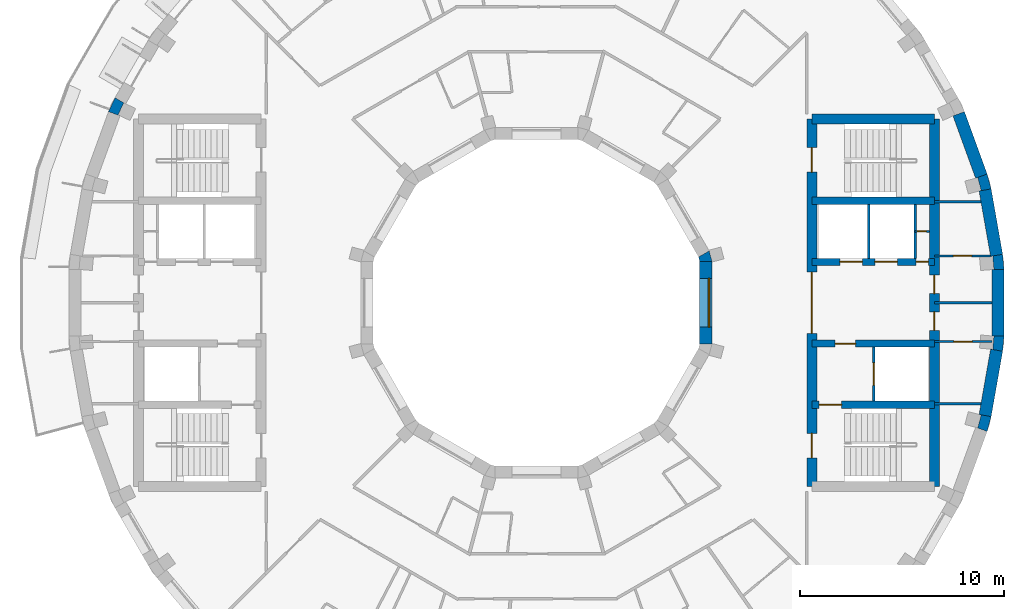
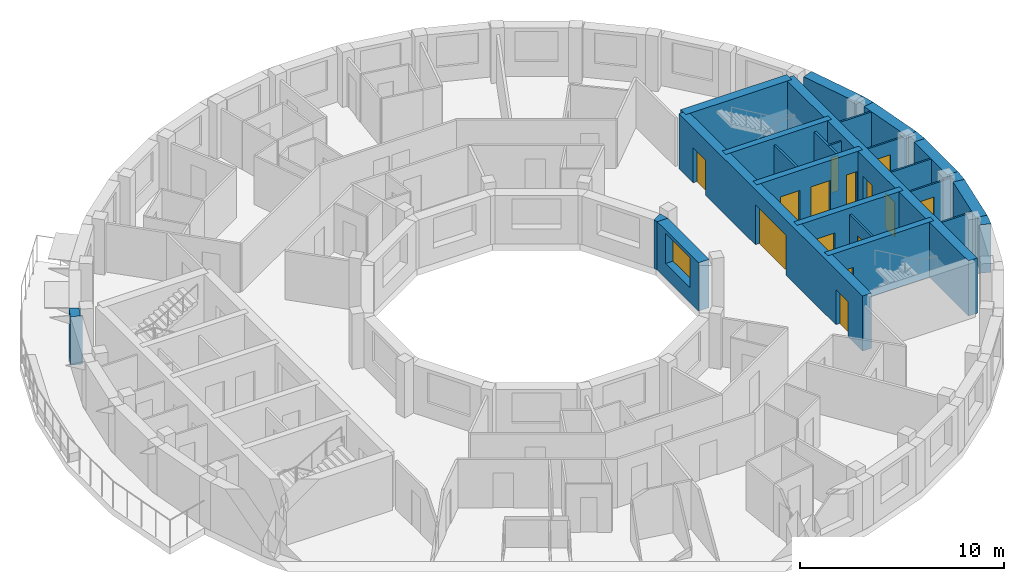
# One storey, part 6 of 10: 27 walls, 14 doors, 1 window, 15 openings.
"""IFC4 building model written with IfcOpenShell, lengths in metres."""

from ifc_helpers import new_model, si_unit, direction, frame, frame_2d, origin, place, context, subcontext, project, spatial, polyline, rectangle, outline, extrude, material, layer, layer_set, type_object, element, fill, save


model = new_model("IFC4")

# Units and contexts
model_context = context("Model", 3, precision=1e-05, world=origin(), true_north=direction((0.0, 1.0)))
body_context = subcontext(model_context, "Body", "Model", "MODEL_VIEW")
ifc_project = project(units=[si_unit("LENGTHUNIT", "METRE"), si_unit("AREAUNIT", "SQUARE_METRE"), si_unit("VOLUMEUNIT", "CUBIC_METRE"), si_unit("PLANEANGLEUNIT", "RADIAN"), si_unit("MASSUNIT", "GRAM", prefix="KILO")], contexts=[model_context])

# Site, building, storey
site_placement = place(None, origin())
site = spatial("IfcSite", under=ifc_project, at=site_placement, CompositionType="ELEMENT")
building_placement = place(site_placement, origin())
building = spatial("IfcBuilding", under=site, at=building_placement, Name="Saqina Gate Tower", CompositionType="ELEMENT")
storey_placement = place(building_placement, frame((0.0, 0.0, 239.60009765625)))
storey = spatial("IfcBuildingStorey", under=building, at=storey_placement, Name="L68", CompositionType="ELEMENT", Elevation=239.60009765625)

# Walls
ifc_material_1 = material(Name="Brick masonry (buff)", Category="masonry")
wall_type_1 = type_object("IfcWallType", Name="BRICK PIER COPING BUFF", PredefinedType="SOLIDWALL", material=ifc_material_1)
wall_1_placement = place(storey_placement, origin())
element("IfcWall", 1, at=wall_1_placement, inside=storey, type_object=wall_type_1, Name="Pier cap L68 column 1", PredefinedType="SOLIDWALL", context=body_context, shape_type="SweptSolid", body=[
    extrude(outline(polyline([(22.91259765625, 1.625732421875), (22.8466796875, 2.377685546875), (22.255859375, 2.2734375), (22.361083984375, 2.28271484375), (22.417724609375, 1.635009765625), (22.3125, 1.625732421875), (22.91259765625, 1.625732421875)])), origin(), (0.0, 0.0, 1.0), 2.89990234375),
])
wall_2_placement = place(storey_placement, origin())
element("IfcWall", 2, at=wall_2_placement, inside=storey, type_object=wall_type_1, Name="Pier cap L68 column 2", PredefinedType="SOLIDWALL", context=body_context, shape_type="SweptSolid", body=[
    extrude(outline(polyline([(22.0869140625, 6.30859375), (21.52294921875, 6.103515625), (21.625, 6.130859375), (21.793212890625, 5.5029296875), (21.691162109375, 5.4755859375), (22.281982421875, 5.579833984375), (22.0869140625, 6.30859375)])), origin(), (0.0, 0.0, 1.0), 2.89990234375),
])
wall_3_placement = place(storey_placement, origin())
element("IfcWall", 3, at=wall_3_placement, inside=storey, type_object=wall_type_1, Name="Pier cap L68 column 16", PredefinedType="SOLIDWALL", context=body_context, shape_type="SweptSolid", body=[
    extrude(outline(polyline([(-20.65576171875, 10.048095703125), (-20.974609375, 9.3642578125), (-20.410888671875, 9.1591796875), (-20.506591796875, 9.203857421875), (-20.23193359375, 9.79296875), (-20.135986328125, 9.748291015625), (-20.65576171875, 10.048095703125)])), origin(), (0.0, 0.0, 1.0), 2.89990234375),
])
wall_4_placement = place(storey_placement, origin())
element("IfcWall", 4, at=wall_4_placement, inside=storey, type_object=wall_type_1, Name="Pier cap L68 column 35", PredefinedType="SOLIDWALL", context=body_context, shape_type="SweptSolid", body=[
    extrude(outline(polyline([(22.281982421875, -5.579833984375), (21.691162109375, -5.4755859375), (21.793212890625, -5.5029296875), (21.625, -6.130859375), (21.52294921875, -6.103515625), (22.0869140625, -6.30859375), (22.281982421875, -5.579833984375)])), origin(), (0.0, 0.0, 1.0), 2.89990234375),
])
wall_5_placement = place(storey_placement, origin())
element("IfcWall", 5, at=wall_5_placement, inside=storey, type_object=wall_type_1, Name="Pier cap L68 column 36", PredefinedType="SOLIDWALL", context=body_context, shape_type="SweptSolid", body=[
    extrude(outline(polyline([(22.8466796875, -2.377685546875), (22.91259765625, -1.625732421875), (22.3125, -1.625732421875), (22.417724609375, -1.635009765625), (22.361083984375, -2.28271484375), (22.255859375, -2.2734375), (22.8466796875, -2.377685546875)])), origin(), (0.0, 0.0, 1.0), 2.89990234375),
])

# Wall, opening, door
ifc_material_2 = material(Name="Gypsum board on steel studs", Category="steel")
ifc_layer_1 = layer(ifc_material_2, 0.10009765625)
ifc_layer_set_1 = layer_set([ifc_layer_1], Name="CORE PARTITION")
wall_type_2 = type_object("IfcWallType", Name="CORE PARTITION", PredefinedType="PARTITIONING", material=ifc_layer_set_1)
wall_6_placement = place(storey_placement, frame((18.56005859375, 3.5, 0.0), z_axis=(0.0, 0.0, 1.0), x_axis=(1.0, 0.0, 0.0)))
wall_6 = element("IfcWall", 6, at=wall_6_placement, inside=storey, type_object=wall_type_2, Name="L68-CP-E01", PredefinedType="PARTITIONING", context=body_context, shape_type="SweptSolid", body=[
    extrude(rectangle(XDim=0.68994140625, YDim=0.10009765625, at=frame_2d((0.344970703125, 0.0))), origin(), (0.0, 0.0, 1.0), 2.89990234375),
])
opening_1_placement = place(wall_6_placement, frame((0.10009765625, 0.0, 0.0)))
opening_1 = element("IfcOpeningElement", 7, at=opening_1_placement, cuts=wall_6, Name="Opening G20-D96", PredefinedType="OPENING", context=body_context, shape_type="SweptSolid", body=[
    extrude(rectangle(XDim=0.449951171875, YDim=2.10009765625, at=frame_2d((0.22509765625, 1.050048828125))), frame((0.0, 0.06201171875, 0.0), z_axis=(0.0, -1.0, 0.0), x_axis=(1.0, 0.0, 0.0)), (0.0, 0.0, 1.0), 0.1240234375),
])
ifc_material_3 = material(Name="Steel-framed fire door leaf, EI 60", Category="steel")
door_type_1 = type_object("IfcDoorType", Name="SERVICE ROOM DOOR 450", OperationType="SINGLE_SWING_LEFT", PredefinedType="DOOR", material=ifc_material_3)
door_1_placement = place(opening_1_placement, origin())
door_1 = element("IfcDoor", 8, at=door_1_placement, inside=storey, type_object=door_type_1, Name="L68-CD-E07", OperationType="SINGLE_SWING_RIGHT", OverallHeight=2.10009765625, OverallWidth=0.449951171875, PredefinedType="DOOR", context=body_context, shape_type="SweptSolid", body=[
    extrude(rectangle(XDim=0.449951171875, YDim=2.10009765625, at=frame_2d((0.22509765625, 1.050048828125))), frame((0.0, 0.02490234375, 0.0), z_axis=(0.0, -1.0, 0.0), x_axis=(1.0, 0.0, 0.0)), (0.0, 0.0, 1.0), 0.050048828125),
])
fill(opening_1, door_1)

# Wall
wall_7_placement = place(storey_placement, frame((19.5, 4.949951171875, 0.0), z_axis=(0.0, 0.0, 1.0), x_axis=(1.0, 0.0, 0.0)))
element("IfcWall", 9, at=wall_7_placement, inside=storey, type_object=wall_type_2, Name="L68-CP-E02", PredefinedType="PARTITIONING", context=body_context, shape_type="SweptSolid", body=[
    extrude(rectangle(XDim=2.283935546875, YDim=0.10009765625, at=frame_2d((1.14208984375, 0.0))), origin(), (0.0, 0.0, 1.0), 2.89990234375),
])

# Wall, opening, door
wall_8_placement = place(storey_placement, frame((19.5, 2.300048828125, 0.0), z_axis=(0.0, 0.0, 1.0), x_axis=(1.0, 0.0, 0.0)))
wall_8 = element("IfcWall", 10, at=wall_8_placement, inside=storey, type_object=wall_type_2, Name="L68-CP-E03", PredefinedType="PARTITIONING", context=body_context, shape_type="SweptSolid", body=[
    extrude(rectangle(XDim=2.751220703125, YDim=0.10009765625, at=frame_2d((1.37548828125, 0.0))), origin(), (0.0, 0.0, 1.0), 2.89990234375),
])
opening_2_placement = place(wall_8_placement, frame((0.925537109375, 0.0, 0.0)))
opening_2 = element("IfcOpeningElement", 11, at=opening_2_placement, cuts=wall_8, Name="Opening G20-D92", PredefinedType="OPENING", context=body_context, shape_type="SweptSolid", body=[
    extrude(rectangle(XDim=0.89990234375, YDim=2.10009765625, at=frame_2d((0.449951171875, 1.050048828125))), frame((0.0, 0.06201171875, 0.0), z_axis=(0.0, -1.0, 0.0), x_axis=(1.0, 0.0, 0.0)), (0.0, 0.0, 1.0), 0.1240234375),
])
ifc_material_4 = material(Name="Steel-framed fire door leaf, EI 60", Category="steel")
door_type_2 = type_object("IfcDoorType", Name="SERVICE ROOM DOOR 900", OperationType="SINGLE_SWING_LEFT", PredefinedType="DOOR", material=ifc_material_4)
door_2_placement = place(opening_2_placement, origin())
door_2 = element("IfcDoor", 12, at=door_2_placement, inside=storey, type_object=door_type_2, Name="L68-CD-E03", OperationType="SINGLE_SWING_LEFT", OverallHeight=2.10009765625, OverallWidth=0.89990234375, PredefinedType="DOOR", context=body_context, shape_type="SweptSolid", body=[
    extrude(rectangle(XDim=0.89990234375, YDim=2.10009765625, at=frame_2d((0.449951171875, 1.050048828125))), frame((0.0, 0.02490234375, 0.0), z_axis=(0.0, -1.0, 0.0), x_axis=(1.0, 0.0, 0.0)), (0.0, 0.0, 1.0), 0.050048828125),
])
fill(opening_2, door_2)

# Wall
wall_9_placement = place(storey_placement, frame((19.5, -4.949951171875, 0.0), z_axis=(0.0, 0.0, 1.0), x_axis=(1.0, 0.0, 0.0)))
element("IfcWall", 13, at=wall_9_placement, inside=storey, type_object=wall_type_2, Name="L68-CP-E04", PredefinedType="PARTITIONING", context=body_context, shape_type="SweptSolid", body=[
    extrude(rectangle(XDim=2.283935546875, YDim=0.10009765625, at=frame_2d((1.14208984375, 0.0))), origin(), (0.0, 0.0, 1.0), 2.89990234375),
])

# Wall, opening, door
wall_10_placement = place(storey_placement, frame((19.5, -1.89990234375, 0.0), z_axis=(0.0, 0.0, 1.0), x_axis=(1.0, 0.0, 0.0)))
wall_10 = element("IfcWall", 14, at=wall_10_placement, inside=storey, type_object=wall_type_2, Name="L68-CP-E05", PredefinedType="PARTITIONING", context=body_context, shape_type="SweptSolid", body=[
    extrude(rectangle(XDim=2.8125, YDim=0.10009765625, at=frame_2d((1.40625, 0.0))), origin(), (0.0, 0.0, 1.0), 2.89990234375),
])
opening_3_placement = place(wall_10_placement, frame((0.956298828125, 0.0, 0.0)))
opening_3 = element("IfcOpeningElement", 15, at=opening_3_placement, cuts=wall_10, Name="Opening G20-D94", PredefinedType="OPENING", context=body_context, shape_type="SweptSolid", body=[
    extrude(rectangle(XDim=0.89990234375, YDim=2.10009765625, at=frame_2d((0.449951171875, 1.050048828125))), frame((0.0, 0.06201171875, 0.0), z_axis=(0.0, -1.0, 0.0), x_axis=(1.0, 0.0, 0.0)), (0.0, 0.0, 1.0), 0.1240234375),
])
door_3_placement = place(opening_3_placement, frame((0.89990234375, 0.0, 0.0), z_axis=(0.0, 0.0, 1.0), x_axis=(-1.0, 0.0, 0.0)))
door_3 = element("IfcDoor", 16, at=door_3_placement, inside=storey, type_object=door_type_2, Name="L68-CD-E05", OperationType="SINGLE_SWING_LEFT", OverallHeight=2.10009765625, OverallWidth=0.89990234375, PredefinedType="DOOR", context=body_context, shape_type="SweptSolid", body=[
    extrude(rectangle(XDim=0.89990234375, YDim=2.10009765625, at=frame_2d((0.449951171875, 1.050048828125))), frame((0.0, 0.02490234375, 0.0), z_axis=(0.0, -1.0, 0.0), x_axis=(1.0, 0.0, 0.0)), (0.0, 0.0, 1.0), 0.050048828125),
])
fill(opening_3, door_3)

# Walls
wall_11_placement = place(storey_placement, frame((19.5, 0.0, 0.0), z_axis=(0.0, 0.0, 1.0), x_axis=(1.0, 0.0, 0.0)))
element("IfcWall", 17, at=wall_11_placement, inside=storey, type_object=wall_type_2, Name="L68-CP-E06", PredefinedType="PARTITIONING", context=body_context, shape_type="SweptSolid", body=[
    extrude(rectangle(XDim=2.8125, YDim=0.10009765625, at=frame_2d((1.40625, 0.0))), origin(), (0.0, 0.0, 1.0), 2.89990234375),
])
ifc_material_5 = material(Name="Glazed ceramic tile", Category="ceramic")
ifc_layer_2 = layer(ifc_material_5, 0.60009765625)
ifc_layer_set_2 = layer_set([ifc_layer_2], Name="FW-TILE")
wall_type_3 = type_object("IfcWallType", Name="FW-TILE", PredefinedType="SOLIDWALL", material=ifc_layer_set_2)
for number, where, z_axis, x_axis, name in (
    (18, (22.55126953125, 2.325439453125, 0.0), (0.0, 0.0, 1.0), (-0.173656842178, 0.984806225186, 0.0), "Facade wall L68 facet 1"),
    (19, (21.986572265625, -5.52783203125, 0.0), (0.0, 0.0, 1.0), (0.173656842178, 0.984806225186, 0.0), "Facade wall L68 facet 35"),
):
    element("IfcWall", number, at=place(storey_placement, frame(where, z_axis=z_axis, x_axis=x_axis)), inside=storey, type_object=wall_type_3, Name=name, PredefinedType="SOLIDWALL", context=body_context, shape_type="SweptSolid", body=[
        extrude(rectangle(XDim=3.251708984375, YDim=0.60009765625, at=frame_2d((1.6259765625, 0.0))), origin(), (0.0, 0.0, 1.0), 2.89990234375),
    ])
ifc_material_6 = material(Name="Glazed ceramic tile (dark blue)", Category="ceramic")
ifc_layer_3 = layer(ifc_material_6, 0.60009765625)
ifc_layer_set_3 = layer_set([ifc_layer_3], Name="FW-TILE-CB")
wall_type_4 = type_object("IfcWallType", Name="FW-TILE-CB", PredefinedType="SOLIDWALL", material=ifc_layer_set_3)
wall_12_placement = place(storey_placement, frame((21.804931640625, 6.2060546875, 0.0), z_axis=(0.0, 0.0, 1.0), x_axis=(-0.342056509473, 0.939679383794, 0.0)))
element("IfcWall", 20, at=wall_12_placement, inside=storey, type_object=wall_type_4, Name="Facade wall L68 facet 2", PredefinedType="SOLIDWALL", context=body_context, shape_type="SweptSolid", body=[
    extrude(rectangle(XDim=3.251708984375, YDim=0.60009765625, at=frame_2d((1.6259765625, 0.0))), origin(), (0.0, 0.0, 1.0), 2.89990234375),
])
ifc_material_7 = material(Name="Glazed ceramic tile (white)", Category="ceramic")
ifc_layer_4 = layer(ifc_material_7, 0.60009765625)
ifc_layer_set_4 = layer_set([ifc_layer_4], Name="FW-TILE-WH")
wall_type_5 = type_object("IfcWallType", Name="FW-TILE-WH", PredefinedType="SOLIDWALL", material=ifc_layer_set_4)
wall_13_placement = place(storey_placement, frame((22.612548828125, -1.625732421875, 0.0), z_axis=(0.0, 0.0, 1.0), x_axis=(0.0, 1.0, 0.0)))
element("IfcWall", 21, at=wall_13_placement, inside=storey, type_object=wall_type_5, Name="Facade wall L68 facet 36", PredefinedType="SOLIDWALL", context=body_context, shape_type="SweptSolid", body=[
    extrude(rectangle(XDim=3.25146484375, YDim=0.60009765625, at=frame_2d((1.625732421875, 0.0))), origin(), (0.0, 0.0, 1.0), 2.89990234375),
])

# Wall, opening, window
ifc_material_8 = material(Name="Glazed ceramic tile", Category="ceramic")
ifc_layer_5 = layer(ifc_material_8, 0.60009765625)
ifc_layer_set_5 = layer_set([ifc_layer_5], Name="IW-TILE")
wall_type_6 = type_object("IfcWallType", Name="IW-TILE", PredefinedType="SOLIDWALL", material=ifc_layer_set_5)
wall_14_placement = place(storey_placement, frame((8.300048828125, -2.029296875, 0.0), z_axis=(0.0, 0.0, 1.0), x_axis=(0.0, 1.0, 0.0)))
wall_14 = element("IfcWall", 22, at=wall_14_placement, inside=storey, type_object=wall_type_6, Name="Well wall L68 facet 12", PredefinedType="SOLIDWALL", context=body_context, shape_type="SweptSolid", body=[
    extrude(rectangle(XDim=4.05859375, YDim=0.60009765625, at=frame_2d((2.029296875, 0.0))), origin(), (0.0, 0.0, 1.0), 2.89990234375),
])
opening_4_placement = place(wall_14_placement, frame((0.829345703125, 0.0, 0.89990234375)))
opening_4 = element("IfcOpeningElement", 23, at=opening_4_placement, cuts=wall_14, Name="Opening G20-W36", PredefinedType="OPENING", context=body_context, shape_type="SweptSolid", body=[
    extrude(rectangle(XDim=2.39990234375, YDim=1.800048828125, at=frame_2d((1.199951171875, 0.89990234375))), frame((0.0, 0.31201171875, 0.0), z_axis=(0.0, -1.0, 0.0), x_axis=(1.0, 0.0, 0.0)), (0.0, 0.0, 1.0), 0.6240234375),
])
ifc_material_9 = material(Name="Aluminium glazing", Category="aluminium")
window_type = type_object("IfcWindowType", Name="WN-W", PartitioningType="SINGLE_PANEL", PredefinedType="WINDOW", material=ifc_material_9)
window_placement = place(opening_4_placement, origin())
window = element("IfcWindow", 24, at=window_placement, inside=storey, type_object=window_type, Name="Well window L68 facet 12", OverallHeight=1.800048828125, OverallWidth=2.39990234375, PartitioningType="SINGLE_PANEL", PredefinedType="WINDOW", context=body_context, shape_type="SweptSolid", body=[
    extrude(rectangle(XDim=2.39990234375, YDim=1.800048828125, at=frame_2d((1.199951171875, 0.89990234375))), frame((0.0, -0.119873046875, 0.0), z_axis=(0.0, -1.0, 0.0), x_axis=(1.0, 0.0, 0.0)), (0.0, 0.0, 1.0), 0.06005859375),
])
fill(opening_4, window)

# Walls
ifc_material_10 = material(Name="Autoclaved aerated concrete block", Category="concrete")
ifc_layer_6 = layer(ifc_material_10, 0.1201171875)
ifc_layer_set_6 = layer_set([ifc_layer_6], Name="SHAFT PARTITION")
wall_type_7 = type_object("IfcWallType", Name="SHAFT PARTITION", PredefinedType="PARTITIONING", material=ifc_layer_set_6)
for number, where, z_axis, x_axis, name in (
    (25, (16.280029296875, 2.175048828125, 0.0), (0.0, 0.0, 1.0), (0.0, 1.0, 0.0), "L68-CP-E07"),
    (26, (18.56005859375, 2.175048828125, 0.0), (0.0, 0.0, 1.0), (0.0, 1.0, 0.0), "L68-CP-E08"),
):
    element("IfcWall", number, at=place(storey_placement, frame(where, z_axis=z_axis, x_axis=x_axis)), inside=storey, type_object=wall_type_7, Name=name, PredefinedType="PARTITIONING", context=body_context, shape_type="SweptSolid", body=[
        extrude(rectangle(XDim=2.64990234375, YDim=0.1201171875, at=frame_2d((1.324951171875, 0.0))), origin(), (0.0, 0.0, 1.0), 2.89990234375),
    ])

# Wall, opening, door
wall_15_placement = place(storey_placement, frame((16.530029296875, -4.824951171875, 0.0), z_axis=(0.0, 0.0, 1.0), x_axis=(0.0, 1.0, 0.0)))
wall_15 = element("IfcWall", 27, at=wall_15_placement, inside=storey, type_object=wall_type_7, Name="L68-CP-E09", PredefinedType="PARTITIONING", context=body_context, shape_type="SweptSolid", body=[
    extrude(rectangle(XDim=2.64990234375, YDim=0.1201171875, at=frame_2d((1.324951171875, 0.0))), origin(), (0.0, 0.0, 1.0), 2.89990234375),
])
opening_5_placement = place(wall_15_placement, frame((0.77490234375, 0.0, 0.0)))
opening_5 = element("IfcOpeningElement", 28, at=opening_5_placement, cuts=wall_15, Name="Opening G20-LD3", PredefinedType="OPENING", context=body_context, shape_type="SweptSolid", body=[
    extrude(rectangle(XDim=1.10009765625, YDim=2.10009765625, at=frame_2d((0.550048828125, 1.050048828125))), frame((0.0, 0.072021484375, 0.0), z_axis=(0.0, -1.0, 0.0), x_axis=(1.0, 0.0, 0.0)), (0.0, 0.0, 1.0), 0.14404296875),
])
ifc_material_11 = material(Name="Stainless steel", Category="steel")
door_type_3 = type_object("IfcDoorType", Name="LANDING DOOR", OperationType="DOUBLE_DOOR_SLIDING", PredefinedType="DOOR", material=ifc_material_11)
door_4_placement = place(opening_5_placement, origin())
door_4 = element("IfcDoor", 29, at=door_4_placement, inside=storey, type_object=door_type_3, Name="LANDING DOOR FF1", OperationType="DOUBLE_DOOR_SLIDING", OverallHeight=2.10009765625, OverallWidth=1.10009765625, PredefinedType="DOOR", context=body_context, shape_type="SweptSolid", body=[
    extrude(rectangle(XDim=1.10009765625, YDim=2.10009765625, at=frame_2d((0.550048828125, 1.050048828125))), frame((0.0, 0.02490234375, 0.0), z_axis=(0.0, -1.0, 0.0), x_axis=(1.0, 0.0, 0.0)), (0.0, 0.0, 1.0), 0.050048828125),
])
fill(opening_5, door_4)

# Wall
ifc_material_12 = material(Name="Concrete C60/75", Category="concrete")
ifc_layer_7 = layer(ifc_material_12, 0.35009765625)
ifc_layer_set_7 = layer_set([ifc_layer_7], Name="Concrete C60/75")
wall_type_8 = type_object("IfcWallType", Name="STR-CORE WALL-D-I", PredefinedType="SHEAR", material=ifc_layer_set_7)
wall_16_placement = place(storey_placement, frame((13.5, 5.0, 0.0), z_axis=(0.0, 0.0, 1.0), x_axis=(1.0, 0.0, 0.0)))
element("IfcWall", 30, at=wall_16_placement, inside=storey, type_object=wall_type_8, Name="CORE WALL L68 E-X1", PredefinedType="SHEAR", context=body_context, shape_type="SweptSolid", body=[
    extrude(rectangle(XDim=6.0, YDim=0.35009765625, at=frame_2d((3.0, 0.0))), origin(), (0.0, 0.0, 1.0), 3.2998046875),
])

# Wall, opening, door
wall_17_placement = place(storey_placement, frame((13.5, -5.0, 0.0), z_axis=(0.0, 0.0, 1.0), x_axis=(1.0, 0.0, 0.0)))
wall_17 = element("IfcWall", 31, at=wall_17_placement, inside=storey, type_object=wall_type_8, Name="CORE WALL L68 E-X2", PredefinedType="SHEAR", context=body_context, shape_type="SweptSolid", body=[
    extrude(rectangle(XDim=6.0, YDim=0.35009765625, at=frame_2d((3.0, 0.0))), origin(), (0.0, 0.0, 1.0), 3.2998046875),
])
opening_6_placement = place(wall_17_placement, frame((0.35009765625, 0.0, 0.0)))
opening_6 = element("IfcOpeningElement", 32, at=opening_6_placement, cuts=wall_17, Name="Opening G20-D97", PredefinedType="OPENING", context=body_context, shape_type="SweptSolid", body=[
    extrude(rectangle(XDim=1.10009765625, YDim=2.10009765625, at=frame_2d((0.550048828125, 1.050048828125))), frame((0.0, 0.18701171875, 0.0), z_axis=(0.0, -1.0, 0.0), x_axis=(1.0, 0.0, 0.0)), (0.0, 0.0, 1.0), 0.3740234375),
])
ifc_material_13 = material(Name="Steel", Category="steel")
door_type_4 = type_object("IfcDoorType", Name="FIRE LOBBY DOOR EI 60 WIDE", OperationType="SINGLE_SWING_LEFT", PredefinedType="DOOR", material=ifc_material_13)
door_5_placement = place(opening_6_placement, frame((1.10009765625, 0.0, 0.0), z_axis=(0.0, 0.0, 1.0), x_axis=(-1.0, 0.0, 0.0)))
door_5 = element("IfcDoor", 33, at=door_5_placement, inside=storey, type_object=door_type_4, Name="L68-CD-E08", OperationType="SINGLE_SWING_RIGHT", OverallHeight=2.10009765625, OverallWidth=1.10009765625, PredefinedType="DOOR", context=body_context, shape_type="SweptSolid", body=[
    extrude(rectangle(XDim=1.10009765625, YDim=2.10009765625, at=frame_2d((0.550048828125, 1.050048828125))), frame((0.0, 0.02490234375, 0.0), z_axis=(0.0, -1.0, 0.0), x_axis=(1.0, 0.0, 0.0)), (0.0, 0.0, 1.0), 0.050048828125),
])
fill(opening_6, door_5)

# Wall, openings, doors
wall_18_placement = place(storey_placement, frame((13.5, 2.0, 0.0), z_axis=(0.0, 0.0, 1.0), x_axis=(1.0, 0.0, 0.0)))
wall_18 = element("IfcWall", 34, at=wall_18_placement, inside=storey, type_object=wall_type_8, Name="CORE WALL L68 E-L1", PredefinedType="SHEAR", context=body_context, shape_type="SweptSolid", body=[
    extrude(rectangle(XDim=6.0, YDim=0.35009765625, at=frame_2d((3.0, 0.0))), origin(), (0.0, 0.0, 1.0), 3.2998046875),
])
opening_7_placement = place(wall_18_placement, frame((1.3701171875, 0.0, 0.0)))
opening_7 = element("IfcOpeningElement", 35, at=opening_7_placement, cuts=wall_18, Name="Opening G20-LD1", PredefinedType="OPENING", context=body_context, shape_type="SweptSolid", body=[
    extrude(rectangle(XDim=1.10009765625, YDim=2.10009765625, at=frame_2d((0.550048828125, 1.050048828125))), frame((0.0, 0.18701171875, 0.0), z_axis=(0.0, -1.0, 0.0), x_axis=(1.0, 0.0, 0.0)), (0.0, 0.0, 1.0), 0.3740234375),
])
opening_8_placement = place(wall_18_placement, frame((3.090087890625, 0.0, 0.0)))
opening_8 = element("IfcOpeningElement", 36, at=opening_8_placement, cuts=wall_18, Name="Opening G20-LD2", PredefinedType="OPENING", context=body_context, shape_type="SweptSolid", body=[
    extrude(rectangle(XDim=1.10009765625, YDim=2.10009765625, at=frame_2d((0.550048828125, 1.050048828125))), frame((0.0, 0.18701171875, 0.0), z_axis=(0.0, -1.0, 0.0), x_axis=(1.0, 0.0, 0.0)), (0.0, 0.0, 1.0), 0.3740234375),
])
opening_9_placement = place(wall_18_placement, frame((5.10498046875, 0.0, 0.0)))
opening_9 = element("IfcOpeningElement", 37, at=opening_9_placement, cuts=wall_18, Name="Opening G20-D90", PredefinedType="OPENING", context=body_context, shape_type="SweptSolid", body=[
    extrude(rectangle(XDim=0.60009765625, YDim=2.10009765625, at=frame_2d((0.300048828125, 1.050048828125))), frame((0.0, 0.18701171875, 0.0), z_axis=(0.0, -1.0, 0.0), x_axis=(1.0, 0.0, 0.0)), (0.0, 0.0, 1.0), 0.3740234375),
])
door_6_placement = place(opening_7_placement, origin())
door_6 = element("IfcDoor", 38, at=door_6_placement, inside=storey, type_object=door_type_3, Name="LANDING DOOR HR1", OperationType="DOUBLE_DOOR_SLIDING", OverallHeight=2.10009765625, OverallWidth=1.10009765625, PredefinedType="DOOR", context=body_context, shape_type="SweptSolid", body=[
    extrude(rectangle(XDim=1.10009765625, YDim=2.10009765625, at=frame_2d((0.550048828125, 1.050048828125))), frame((0.0, 0.02490234375, 0.0), z_axis=(0.0, -1.0, 0.0), x_axis=(1.0, 0.0, 0.0)), (0.0, 0.0, 1.0), 0.050048828125),
])
fill(opening_7, door_6)
door_7_placement = place(opening_8_placement, origin())
door_7 = element("IfcDoor", 39, at=door_7_placement, inside=storey, type_object=door_type_3, Name="LANDING DOOR HR2", OperationType="DOUBLE_DOOR_SLIDING", OverallHeight=2.10009765625, OverallWidth=1.10009765625, PredefinedType="DOOR", context=body_context, shape_type="SweptSolid", body=[
    extrude(rectangle(XDim=1.10009765625, YDim=2.10009765625, at=frame_2d((0.550048828125, 1.050048828125))), frame((0.0, 0.02490234375, 0.0), z_axis=(0.0, -1.0, 0.0), x_axis=(1.0, 0.0, 0.0)), (0.0, 0.0, 1.0), 0.050048828125),
])
fill(opening_8, door_7)
ifc_material_14 = material(Name="Steel-framed fire door leaf, EI 60", Category="steel")
door_type_5 = type_object("IfcDoorType", Name="SERVICE ROOM DOOR 600", OperationType="SINGLE_SWING_LEFT", PredefinedType="DOOR", material=ifc_material_14)
door_8_placement = place(opening_9_placement, origin())
door_8 = element("IfcDoor", 40, at=door_8_placement, inside=storey, type_object=door_type_5, Name="L68-CD-E01", OperationType="SINGLE_SWING_RIGHT", OverallHeight=2.10009765625, OverallWidth=0.60009765625, PredefinedType="DOOR", context=body_context, shape_type="SweptSolid", body=[
    extrude(rectangle(XDim=0.60009765625, YDim=2.10009765625, at=frame_2d((0.300048828125, 1.050048828125))), frame((0.0, 0.02490234375, 0.0), z_axis=(0.0, -1.0, 0.0), x_axis=(1.0, 0.0, 0.0)), (0.0, 0.0, 1.0), 0.050048828125),
])
fill(opening_9, door_8)

# Wall, opening, door
wall_19_placement = place(storey_placement, frame((13.5, -2.0, 0.0), z_axis=(0.0, 0.0, 1.0), x_axis=(1.0, 0.0, 0.0)))
wall_19 = element("IfcWall", 41, at=wall_19_placement, inside=storey, type_object=wall_type_8, Name="CORE WALL L68 E-L2", PredefinedType="SHEAR", context=body_context, shape_type="SweptSolid", body=[
    extrude(rectangle(XDim=6.0, YDim=0.35009765625, at=frame_2d((3.0, 0.0))), origin(), (0.0, 0.0, 1.0), 3.2998046875),
])
opening_10_placement = place(wall_19_placement, frame((1.139892578125, 0.0, 0.0)))
opening_10 = element("IfcOpeningElement", 42, at=opening_10_placement, cuts=wall_19, Name="Opening G20-D91", PredefinedType="OPENING", context=body_context, shape_type="SweptSolid", body=[
    extrude(rectangle(XDim=1.0, YDim=2.10009765625, at=frame_2d((0.5, 1.050048828125))), frame((0.0, 0.18701171875, 0.0), z_axis=(0.0, -1.0, 0.0), x_axis=(1.0, 0.0, 0.0)), (0.0, 0.0, 1.0), 0.3740234375),
])
ifc_material_15 = material(Name="Steel", Category="steel")
door_type_6 = type_object("IfcDoorType", Name="FIRE LOBBY DOOR EI 60", OperationType="SINGLE_SWING_LEFT", PredefinedType="DOOR", material=ifc_material_15)
door_9_placement = place(opening_10_placement, origin())
door_9 = element("IfcDoor", 43, at=door_9_placement, inside=storey, type_object=door_type_6, Name="L68-CD-E02", OperationType="SINGLE_SWING_LEFT", OverallHeight=2.10009765625, OverallWidth=1.0, PredefinedType="DOOR", context=body_context, shape_type="SweptSolid", body=[
    extrude(rectangle(XDim=1.0, YDim=2.10009765625, at=frame_2d((0.5, 1.050048828125))), frame((0.0, 0.02490234375, 0.0), z_axis=(0.0, -1.0, 0.0), x_axis=(1.0, 0.0, 0.0)), (0.0, 0.0, 1.0), 0.050048828125),
])
fill(opening_10, door_9)

# Wall, openings, doors
ifc_material_16 = material(Name="Concrete C60/75", Category="concrete")
ifc_layer_8 = layer(ifc_material_16, 0.5)
ifc_layer_set_8 = layer_set([ifc_layer_8], Name="Concrete C60/75")
wall_type_9 = type_object("IfcWallType", Name="STR-CORE WALL-D-O", PredefinedType="SHEAR", material=ifc_layer_set_8)
wall_20_placement = place(storey_placement, frame((13.5, -9.0, 0.0), z_axis=(0.0, 0.0, 1.0), x_axis=(0.0, 1.0, 0.0)))
wall_20 = element("IfcWall", 44, at=wall_20_placement, inside=storey, type_object=wall_type_9, Name="CORE WALL L68 E-W1", PredefinedType="SHEAR", context=body_context, shape_type="SweptSolid", body=[
    extrude(rectangle(XDim=18.0, YDim=0.5, at=frame_2d((9.0, 0.0))), origin(), (0.0, 0.0, 1.0), 3.2998046875),
])
opening_11_placement = place(wall_20_placement, frame((15.39990234375, 0.0, 0.0)))
opening_11 = element("IfcOpeningElement", 45, at=opening_11_placement, cuts=wall_20, Name="Opening G20-D98", PredefinedType="OPENING", context=body_context, shape_type="SweptSolid", body=[
    extrude(rectangle(XDim=1.199951171875, YDim=2.10009765625, at=frame_2d((0.60009765625, 1.050048828125))), frame((0.0, 0.261962890625, 0.0), z_axis=(0.0, -1.0, 0.0), x_axis=(1.0, 0.0, 0.0)), (0.0, 0.0, 1.0), 0.52392578125),
])
opening_12_placement = place(wall_20_placement, frame((1.39990234375, 0.0, 0.0)))
opening_12 = element("IfcOpeningElement", 46, at=opening_12_placement, cuts=wall_20, Name="Opening G20-D99", PredefinedType="OPENING", context=body_context, shape_type="SweptSolid", body=[
    extrude(rectangle(XDim=1.199951171875, YDim=2.10009765625, at=frame_2d((0.60009765625, 1.050048828125))), frame((0.0, 0.261962890625, 0.0), z_axis=(0.0, -1.0, 0.0), x_axis=(1.0, 0.0, 0.0)), (0.0, 0.0, 1.0), 0.52392578125),
])
opening_13_placement = place(wall_20_placement, frame((7.5, 0.0, 0.0)))
opening_13 = element("IfcOpeningElement", 47, at=opening_13_placement, cuts=wall_20, Name="Opening G20-D100", PredefinedType="OPENING", context=body_context, shape_type="SweptSolid", body=[
    extrude(rectangle(XDim=3.0, YDim=2.39990234375, at=frame_2d((1.5, 1.199951171875))), frame((0.0, 0.261962890625, 0.0), z_axis=(0.0, -1.0, 0.0), x_axis=(1.0, 0.0, 0.0)), (0.0, 0.0, 1.0), 0.52392578125),
])
ifc_material_17 = material(Name="Steel", Category="steel")
door_type_7 = type_object("IfcDoorType", Name="FIRE DOOR EI 60", OperationType="SINGLE_SWING_LEFT", PredefinedType="DOOR", material=ifc_material_17)
door_10_placement = place(opening_11_placement, frame((1.199951171875, 0.0, 0.0), z_axis=(0.0, 0.0, 1.0), x_axis=(-1.0, 0.0, 0.0)))
door_10 = element("IfcDoor", 48, at=door_10_placement, inside=storey, type_object=door_type_7, Name="L68-CD-E09", OperationType="SINGLE_SWING_LEFT", OverallHeight=2.10009765625, OverallWidth=1.199951171875, PredefinedType="DOOR", context=body_context, shape_type="SweptSolid", body=[
    extrude(rectangle(XDim=1.199951171875, YDim=2.10009765625, at=frame_2d((0.60009765625, 1.050048828125))), frame((0.0, 0.02490234375, 0.0), z_axis=(0.0, -1.0, 0.0), x_axis=(1.0, 0.0, 0.0)), (0.0, 0.0, 1.0), 0.050048828125),
])
fill(opening_11, door_10)
door_11_placement = place(opening_12_placement, frame((1.199951171875, 0.0, 0.0), z_axis=(0.0, 0.0, 1.0), x_axis=(-1.0, 0.0, 0.0)))
door_11 = element("IfcDoor", 49, at=door_11_placement, inside=storey, type_object=door_type_7, Name="L68-CD-E10", OperationType="SINGLE_SWING_RIGHT", OverallHeight=2.10009765625, OverallWidth=1.199951171875, PredefinedType="DOOR", context=body_context, shape_type="SweptSolid", body=[
    extrude(rectangle(XDim=1.199951171875, YDim=2.10009765625, at=frame_2d((0.60009765625, 1.050048828125))), frame((0.0, 0.02490234375, 0.0), z_axis=(0.0, -1.0, 0.0), x_axis=(1.0, 0.0, 0.0)), (0.0, 0.0, 1.0), 0.050048828125),
])
fill(opening_12, door_11)
ifc_material_18 = material(Name="Steel and fire-resisting glass", Category="steel")
door_type_8 = type_object("IfcDoorType", Name="LOBBY SCREEN DOOR", OperationType="DOUBLE_DOOR_SLIDING", PredefinedType="DOOR", material=ifc_material_18)
door_12_placement = place(opening_13_placement, origin())
door_12 = element("IfcDoor", 50, at=door_12_placement, inside=storey, type_object=door_type_8, Name="L68-CD-E11", OperationType="DOUBLE_DOOR_SLIDING", OverallHeight=2.39990234375, OverallWidth=3.0, PredefinedType="DOOR", context=body_context, shape_type="SweptSolid", body=[
    extrude(rectangle(XDim=3.0, YDim=2.39990234375, at=frame_2d((1.5, 1.199951171875))), frame((0.0, 0.02490234375, 0.0), z_axis=(0.0, -1.0, 0.0), x_axis=(1.0, 0.0, 0.0)), (0.0, 0.0, 1.0), 0.050048828125),
])
fill(opening_13, door_12)

wall_21_placement = place(storey_placement, frame((19.5, -9.0, 0.0), z_axis=(0.0, 0.0, 1.0), x_axis=(0.0, 1.0, 0.0)))
wall_21 = element("IfcWall", 51, at=wall_21_placement, inside=storey, type_object=wall_type_9, Name="CORE WALL L68 E-W2", PredefinedType="SHEAR", context=body_context, shape_type="SweptSolid", body=[
    extrude(rectangle(XDim=18.0, YDim=0.5, at=frame_2d((9.0, 0.0))), origin(), (0.0, 0.0, 1.0), 3.2998046875),
])
opening_14_placement = place(wall_21_placement, frame((9.449951171875, 0.0, 0.0)))
opening_14 = element("IfcOpeningElement", 52, at=opening_14_placement, cuts=wall_21, Name="Opening G20-D93", PredefinedType="OPENING", context=body_context, shape_type="SweptSolid", body=[
    extrude(rectangle(XDim=0.89990234375, YDim=2.10009765625, at=frame_2d((0.449951171875, 1.050048828125))), frame((0.0, 0.261962890625, 0.0), z_axis=(0.0, -1.0, 0.0), x_axis=(1.0, 0.0, 0.0)), (0.0, 0.0, 1.0), 0.52392578125),
])
opening_15_placement = place(wall_21_placement, frame((7.64990234375, 0.0, 0.0)))
opening_15 = element("IfcOpeningElement", 53, at=opening_15_placement, cuts=wall_21, Name="Opening G20-D95", PredefinedType="OPENING", context=body_context, shape_type="SweptSolid", body=[
    extrude(rectangle(XDim=0.89990234375, YDim=2.10009765625, at=frame_2d((0.449951171875, 1.050048828125))), frame((0.0, 0.261962890625, 0.0), z_axis=(0.0, -1.0, 0.0), x_axis=(1.0, 0.0, 0.0)), (0.0, 0.0, 1.0), 0.52392578125),
])
door_13_placement = place(opening_14_placement, frame((0.89990234375, 0.0, 0.0), z_axis=(0.0, 0.0, 1.0), x_axis=(-1.0, 0.0, 0.0)))
door_13 = element("IfcDoor", 54, at=door_13_placement, inside=storey, type_object=door_type_2, Name="L68-CD-E04", OperationType="SINGLE_SWING_RIGHT", OverallHeight=2.10009765625, OverallWidth=0.89990234375, PredefinedType="DOOR", context=body_context, shape_type="SweptSolid", body=[
    extrude(rectangle(XDim=0.89990234375, YDim=2.10009765625, at=frame_2d((0.449951171875, 1.050048828125))), frame((0.0, 0.02490234375, 0.0), z_axis=(0.0, -1.0, 0.0), x_axis=(1.0, 0.0, 0.0)), (0.0, 0.0, 1.0), 0.050048828125),
])
fill(opening_14, door_13)
door_14_placement = place(opening_15_placement, frame((0.89990234375, 0.0, 0.0), z_axis=(0.0, 0.0, 1.0), x_axis=(-1.0, 0.0, 0.0)))
door_14 = element("IfcDoor", 55, at=door_14_placement, inside=storey, type_object=door_type_2, Name="L68-CD-E06", OperationType="SINGLE_SWING_RIGHT", OverallHeight=2.10009765625, OverallWidth=0.89990234375, PredefinedType="DOOR", context=body_context, shape_type="SweptSolid", body=[
    extrude(rectangle(XDim=0.89990234375, YDim=2.10009765625, at=frame_2d((0.449951171875, 1.050048828125))), frame((0.0, 0.02490234375, 0.0), z_axis=(0.0, -1.0, 0.0), x_axis=(1.0, 0.0, 0.0)), (0.0, 0.0, 1.0), 0.050048828125),
])
fill(opening_15, door_14)

# Walls
wall_22_placement = place(storey_placement, frame((13.5, 9.0, 0.0), z_axis=(0.0, 0.0, 1.0), x_axis=(1.0, 0.0, 0.0)))
element("IfcWall", 56, at=wall_22_placement, inside=storey, type_object=wall_type_9, Name="CORE WALL L68 E-NE", PredefinedType="SHEAR", context=body_context, shape_type="SweptSolid", body=[
    extrude(rectangle(XDim=6.0, YDim=0.5, at=frame_2d((3.0, 0.0))), origin(), (0.0, 0.0, 1.0), 3.2998046875),
])
ifc_material_19 = material(Name="Glazed ceramic tile", Category="ceramic")
wall_type_10 = type_object("IfcWallType", Name="TILE PIER COPING", PredefinedType="SOLIDWALL", material=ifc_material_19)
wall_23_placement = place(storey_placement, origin())
element("IfcWall", 57, at=wall_23_placement, inside=storey, type_object=wall_type_10, Name="Well pier cap L68 column 1", PredefinedType="SOLIDWALL", context=body_context, shape_type="SweptSolid", body=[
    extrude(outline(polyline([(8.46240234375, 2.54248046875), (7.94287109375, 2.242431640625), (8.0, 2.029296875), (8.60009765625, 2.029296875), (8.46240234375, 2.54248046875)])), origin(), (0.0, 0.0, 1.0), 2.89990234375),
])

save(model, "model.ifc")
